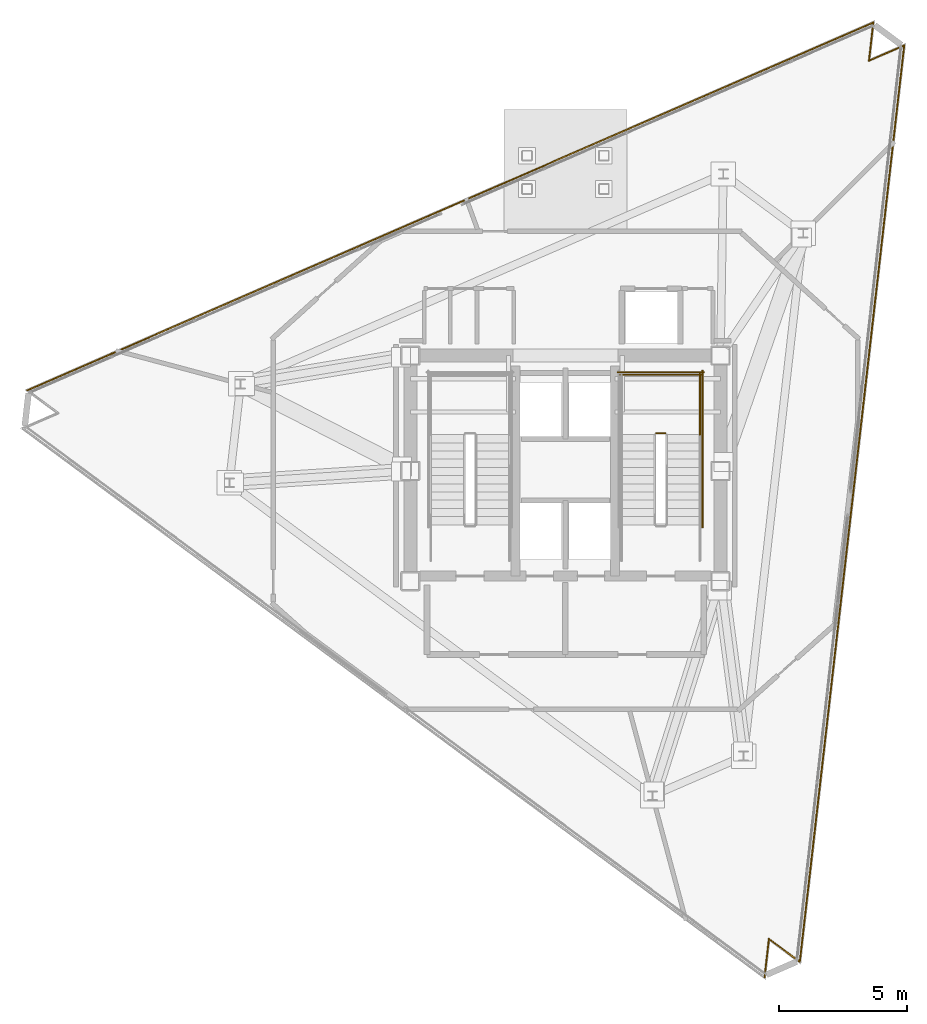
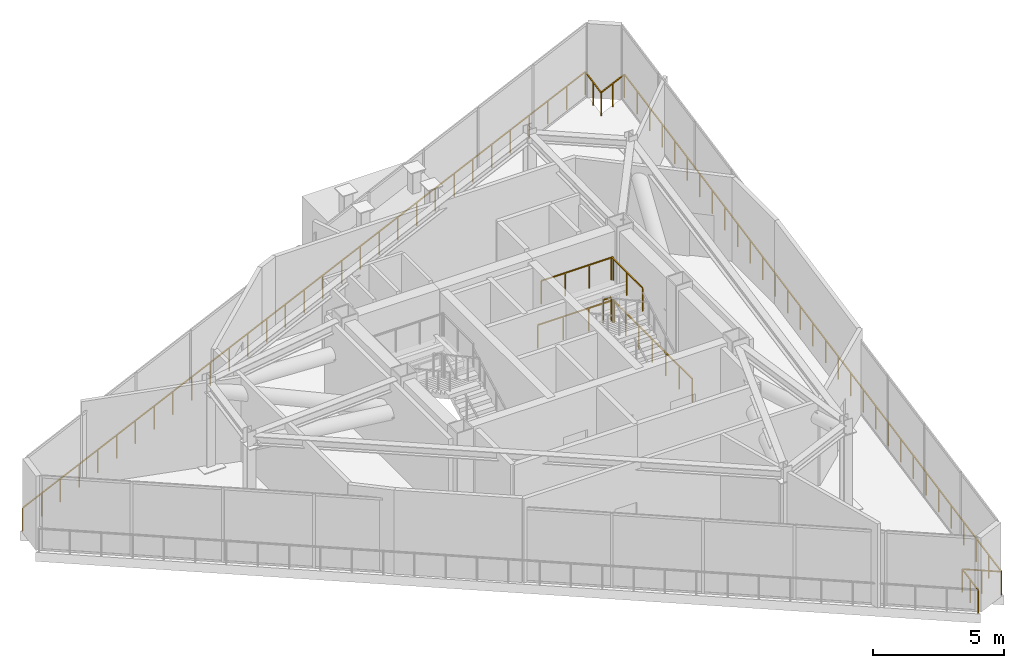
# One storey, part 11 of 11: 7 railings.
"""IFC4 building model written with IfcOpenShell, lengths in metres."""

from ifc_helpers import new_model, si_unit, direction, frame, origin, origin_2d, place, context, subcontext, project, spatial, rectangle, extrude, material, layer, layer_set, type_object, element, save


model = new_model("IFC4")

# Units and contexts
model_context = context("Model", 3, precision=1e-05, world=origin(), true_north=direction((0.0, 1.0)))
body_context = subcontext(model_context, "Body", "Model", "MODEL_VIEW")
ifc_project = project(units=[si_unit("LENGTHUNIT", "METRE"), si_unit("AREAUNIT", "SQUARE_METRE"), si_unit("VOLUMEUNIT", "CUBIC_METRE"), si_unit("PLANEANGLEUNIT", "RADIAN"), si_unit("MASSUNIT", "GRAM", prefix="KILO")], contexts=[model_context])

# Site, building, storey
site_placement = place(None, origin())
site = spatial("IfcSite", under=ifc_project, at=site_placement, CompositionType="ELEMENT")
building_placement = place(site_placement, origin())
building = spatial("IfcBuilding", under=site, at=building_placement, Name="Rocaltana Carrier Exchange", CompositionType="ELEMENT")
storey_placement = place(building_placement, frame((0.0, 0.0, 239.199951171875)))
storey = spatial("IfcBuildingStorey", under=building, at=storey_placement, Name="L76", CompositionType="ELEMENT", Elevation=239.199951171875)

# Railings
ifc_material_1 = material(Name="Powder-Coated Aluminium 6063-T6", Category="aluminium")
ifc_layer_1 = layer(ifc_material_1, 0.048095703125)
ifc_layer_set_1 = layer_set([ifc_layer_1], Name="Powder-Coated Aluminium 6063-T6")
railing_type_1 = type_object("IfcRailingType", Name="Stair Well Guardrail 1100", PredefinedType="GUARDRAIL", material=ifc_layer_set_1)
railing_1_placement = place(storey_placement, frame((3.89990234375, 1.469970703125, 2.080078125)))
element("IfcRailing", 1, at=railing_1_placement, inside=storey, type_object=railing_type_1, Name="L76 ST-2 stair guard 2", PredefinedType="GUARDRAIL", context=body_context, shape_type="SweptSolid", body=[
    extrude(rectangle(XDim=0.048095703125, YDim=0.048095703125, at=origin_2d()), frame((0.0, 0.0, 1.076171875), z_axis=(-1.0, 0.0, 0.0), x_axis=(0.0, -1.0, 0.0)), (0.0, 0.0, 1.0), 0.35986328125),
    extrude(rectangle(XDim=0.0419921875, YDim=0.0419921875, at=origin_2d()), origin(), (0.0, 0.0, 1.0), 1.052001953125),
    extrude(rectangle(XDim=0.0419921875, YDim=0.0419921875, at=origin_2d()), frame((-0.35986328125, 0.0, 0.0)), (0.0, 0.0, 1.0), 1.052001953125),
])
railing_2_placement = place(storey_placement, frame((5.25, 1.419921875, 2.080078125)))
element("IfcRailing", 2, at=railing_2_placement, inside=storey, type_object=railing_type_1, Name="L76 ST-2 stair guard 3", PredefinedType="GUARDRAIL", context=body_context, shape_type="SweptSolid", body=[
    extrude(rectangle(XDim=0.048095703125, YDim=0.048095703125, at=origin_2d()), frame((0.0, 0.0, 1.076171875), z_axis=(0.0, 1.0, 0.0), x_axis=(-1.0, 0.0, 0.0)), (0.0, 0.0, 1.0), 2.380126953125),
    extrude(rectangle(XDim=0.0419921875, YDim=0.0419921875, at=origin_2d()), origin(), (0.0, 0.0, 1.0), 1.052001953125),
    extrude(rectangle(XDim=0.0419921875, YDim=0.0419921875, at=origin_2d()), frame((0.0, 1.18994140625, 0.0)), (0.0, 0.0, 1.0), 1.052001953125),
    extrude(rectangle(XDim=0.0419921875, YDim=0.0419921875, at=origin_2d()), frame((0.0, 2.380126953125, 0.0)), (0.0, 0.0, 1.0), 1.052001953125),
])
railing_3_placement = place(storey_placement, frame((5.300048828125, 3.75, 2.080078125)))
element("IfcRailing", 3, at=railing_3_placement, inside=storey, type_object=railing_type_1, Name="L76 ST-2 stair guard 5", PredefinedType="GUARDRAIL", context=body_context, shape_type="SweptSolid", body=[
    extrude(rectangle(XDim=0.048095703125, YDim=0.048095703125, at=origin_2d()), frame((0.0, 0.0, 1.076171875), z_axis=(-1.0, 0.0, 0.0), x_axis=(0.0, -1.0, 0.0)), (0.0, 0.0, 1.0), 3.16015625),
    extrude(rectangle(XDim=0.0419921875, YDim=0.0419921875, at=origin_2d()), origin(), (0.0, 0.0, 1.0), 1.052001953125),
    extrude(rectangle(XDim=0.0419921875, YDim=0.0419921875, at=origin_2d()), frame((-1.053466796875, 0.0, 0.0)), (0.0, 0.0, 1.0), 1.052001953125),
    extrude(rectangle(XDim=0.0419921875, YDim=0.0419921875, at=origin_2d()), frame((-2.106689453125, 0.0, 0.0)), (0.0, 0.0, 1.0), 1.052001953125),
    extrude(rectangle(XDim=0.0419921875, YDim=0.0419921875, at=origin_2d()), frame((-3.16015625, 0.0, 0.0)), (0.0, 0.0, 1.0), 1.052001953125),
])
railing_4_placement = place(storey_placement, frame((5.35009765625, -2.199951171875, 0.0)))
element("IfcRailing", 4, at=railing_4_placement, inside=storey, type_object=railing_type_1, Name="L76 ST-2 stair guard 10", PredefinedType="GUARDRAIL", context=body_context, shape_type="SweptSolid", body=[
    extrude(rectangle(XDim=0.048095703125, YDim=0.048095703125, at=origin_2d()), frame((0.0, 0.0, 1.076171875), z_axis=(0.0, 1.0, 0.0), x_axis=(-1.0, 0.0, 0.0)), (0.0, 0.0, 1.0), 6.099853515625),
    extrude(rectangle(XDim=0.0419921875, YDim=0.0419921875, at=origin_2d()), origin(), (0.0, 0.0, 1.0), 1.052001953125),
    extrude(rectangle(XDim=0.0419921875, YDim=0.0419921875, at=origin_2d()), frame((0.0, 1.0166015625, 0.0)), (0.0, 0.0, 1.0), 1.052001953125),
    extrude(rectangle(XDim=0.0419921875, YDim=0.0419921875, at=origin_2d()), frame((0.0, 2.033203125, 0.0)), (0.0, 0.0, 1.0), 1.052001953125),
    extrude(rectangle(XDim=0.0419921875, YDim=0.0419921875, at=origin_2d()), frame((0.0, 3.0498046875, 0.0)), (0.0, 0.0, 1.0), 1.052001953125),
    extrude(rectangle(XDim=0.0419921875, YDim=0.0419921875, at=origin_2d()), frame((0.0, 4.066650390625, 0.0)), (0.0, 0.0, 1.0), 1.052001953125),
    extrude(rectangle(XDim=0.0419921875, YDim=0.0419921875, at=origin_2d()), frame((0.0, 5.083251953125, 0.0)), (0.0, 0.0, 1.0), 1.052001953125),
    extrude(rectangle(XDim=0.0419921875, YDim=0.0419921875, at=origin_2d()), frame((0.0, 6.099853515625, 0.0)), (0.0, 0.0, 1.0), 1.052001953125),
])
railing_5_placement = place(storey_placement, frame((5.39990234375, 3.85009765625, 0.0)))
element("IfcRailing", 5, at=railing_5_placement, inside=storey, type_object=railing_type_1, Name="L76 ST-2 stair guard 12", PredefinedType="GUARDRAIL", context=body_context, shape_type="SweptSolid", body=[
    extrude(rectangle(XDim=0.048095703125, YDim=0.048095703125, at=origin_2d()), frame((0.0, 0.0, 1.076171875), z_axis=(-1.0, 0.0, 0.0), x_axis=(0.0, -1.0, 0.0)), (0.0, 0.0, 1.0), 3.35986328125),
    extrude(rectangle(XDim=0.0419921875, YDim=0.0419921875, at=origin_2d()), origin(), (0.0, 0.0, 1.0), 1.052001953125),
    extrude(rectangle(XDim=0.0419921875, YDim=0.0419921875, at=origin_2d()), frame((-1.119873046875, 0.0, 0.0)), (0.0, 0.0, 1.0), 1.052001953125),
    extrude(rectangle(XDim=0.0419921875, YDim=0.0419921875, at=origin_2d()), frame((-2.239990234375, 0.0, 0.0)), (0.0, 0.0, 1.0), 1.052001953125),
    extrude(rectangle(XDim=0.0419921875, YDim=0.0419921875, at=origin_2d()), frame((-3.35986328125, 0.0, 0.0)), (0.0, 0.0, 1.0), 1.052001953125),
])
ifc_material_2 = material(Name="Powder-Coated Aluminium 6063-T6", Category="aluminium")
ifc_layer_2 = layer(ifc_material_2, 0.06005859375)
ifc_layer_set_2 = layer_set([ifc_layer_2], Name="Powder-Coated Aluminium 6063-T6")
railing_type_2 = type_object("IfcRailingType", Name="Wind-Floor & Terrace Perimeter Guardrail 1100", PredefinedType="GUARDRAIL", material=ifc_layer_set_2)
railing_6_placement = place(storey_placement, frame((-20.991943359375, 3.146484375, 0.0)))
element("IfcRailing", 6, at=railing_6_placement, inside=storey, type_object=railing_type_2, Name="L76 Perimeter Balcony Guardrail 2", PredefinedType="GUARDRAIL", context=body_context, shape_type="SweptSolid", body=[
    extrude(rectangle(XDim=0.048095703125, YDim=0.048095703125, at=origin_2d()), frame((0.0, 0.0, 1.076171875), z_axis=(0.917060889598, 0.398747194058, 0.0), x_axis=(-0.398747194058, 0.917060889598, 0.0)), (0.0, 0.0, 1.0), 35.9921875),
    extrude(rectangle(XDim=0.048095703125, YDim=0.048095703125, at=origin_2d()), frame((33.007080078125, 14.351806640625, 1.076171875), z_axis=(-0.113289509458, -0.993562019728, 0.0), x_axis=(0.993562019728, -0.113289509458, 0.0)), (0.0, 0.0, 1.0), 1.5),
    extrude(rectangle(XDim=0.048095703125, YDim=0.048095703125, at=origin_2d()), frame((32.837158203125, 12.861572265625, 1.076171875), z_axis=(0.917070056253, 0.398726111414, 0.0), x_axis=(-0.398726111414, 0.917070056253, 0.0)), (0.0, 0.0, 1.0), 1.500244140625),
    extrude(rectangle(XDim=0.0419921875, YDim=0.0419921875, at=origin_2d()), origin(), (0.0, 0.0, 1.0), 1.052001953125),
    extrude(rectangle(XDim=0.0419921875, YDim=0.0419921875, at=origin_2d()), frame((1.100341796875, 0.478515625, 0.0)), (0.0, 0.0, 1.0), 1.052001953125),
    extrude(rectangle(XDim=0.0419921875, YDim=0.0419921875, at=origin_2d()), frame((2.200439453125, 0.956787109375, 0.0)), (0.0, 0.0, 1.0), 1.052001953125),
    extrude(rectangle(XDim=0.0419921875, YDim=0.0419921875, at=origin_2d()), frame((3.30078125, 1.43505859375, 0.0)), (0.0, 0.0, 1.0), 1.052001953125),
    extrude(rectangle(XDim=0.0419921875, YDim=0.0419921875, at=origin_2d()), frame((4.40087890625, 1.91357421875, 0.0)), (0.0, 0.0, 1.0), 1.052001953125),
    extrude(rectangle(XDim=0.0419921875, YDim=0.0419921875, at=origin_2d()), frame((5.501220703125, 2.39208984375, 0.0)), (0.0, 0.0, 1.0), 1.052001953125),
    extrude(rectangle(XDim=0.0419921875, YDim=0.0419921875, at=origin_2d()), frame((6.601318359375, 2.870361328125, 0.0)), (0.0, 0.0, 1.0), 1.052001953125),
    extrude(rectangle(XDim=0.0419921875, YDim=0.0419921875, at=origin_2d()), frame((7.70166015625, 3.3486328125, 0.0)), (0.0, 0.0, 1.0), 1.052001953125),
    extrude(rectangle(XDim=0.0419921875, YDim=0.0419921875, at=origin_2d()), frame((8.802001953125, 3.8271484375, 0.0)), (0.0, 0.0, 1.0), 1.052001953125),
    extrude(rectangle(XDim=0.0419921875, YDim=0.0419921875, at=origin_2d()), frame((9.902099609375, 4.3056640625, 0.0)), (0.0, 0.0, 1.0), 1.052001953125),
    extrude(rectangle(XDim=0.0419921875, YDim=0.0419921875, at=origin_2d()), frame((11.00244140625, 4.783935546875, 0.0)), (0.0, 0.0, 1.0), 1.052001953125),
    extrude(rectangle(XDim=0.0419921875, YDim=0.0419921875, at=origin_2d()), frame((12.1025390625, 5.26220703125, 0.0)), (0.0, 0.0, 1.0), 1.052001953125),
    extrude(rectangle(XDim=0.0419921875, YDim=0.0419921875, at=origin_2d()), frame((13.202880859375, 5.74072265625, 0.0)), (0.0, 0.0, 1.0), 1.052001953125),
    extrude(rectangle(XDim=0.0419921875, YDim=0.0419921875, at=origin_2d()), frame((14.302978515625, 6.21923828125, 0.0)), (0.0, 0.0, 1.0), 1.052001953125),
    extrude(rectangle(XDim=0.0419921875, YDim=0.0419921875, at=origin_2d()), frame((15.4033203125, 6.697509765625, 0.0)), (0.0, 0.0, 1.0), 1.052001953125),
    extrude(rectangle(XDim=0.0419921875, YDim=0.0419921875, at=origin_2d()), frame((16.50341796875, 7.17578125, 0.0)), (0.0, 0.0, 1.0), 1.052001953125),
    extrude(rectangle(XDim=0.0419921875, YDim=0.0419921875, at=origin_2d()), frame((17.603759765625, 7.654296875, 0.0)), (0.0, 0.0, 1.0), 1.052001953125),
    extrude(rectangle(XDim=0.0419921875, YDim=0.0419921875, at=origin_2d()), frame((18.7041015625, 8.1328125, 0.0)), (0.0, 0.0, 1.0), 1.052001953125),
    extrude(rectangle(XDim=0.0419921875, YDim=0.0419921875, at=origin_2d()), frame((19.80419921875, 8.611083984375, 0.0)), (0.0, 0.0, 1.0), 1.052001953125),
    extrude(rectangle(XDim=0.0419921875, YDim=0.0419921875, at=origin_2d()), frame((20.904541015625, 9.08935546875, 0.0)), (0.0, 0.0, 1.0), 1.052001953125),
    extrude(rectangle(XDim=0.0419921875, YDim=0.0419921875, at=origin_2d()), frame((22.004638671875, 9.56787109375, 0.0)), (0.0, 0.0, 1.0), 1.052001953125),
    extrude(rectangle(XDim=0.0419921875, YDim=0.0419921875, at=origin_2d()), frame((23.10498046875, 10.04638671875, 0.0)), (0.0, 0.0, 1.0), 1.052001953125),
    extrude(rectangle(XDim=0.0419921875, YDim=0.0419921875, at=origin_2d()), frame((24.205078125, 10.524658203125, 0.0)), (0.0, 0.0, 1.0), 1.052001953125),
    extrude(rectangle(XDim=0.0419921875, YDim=0.0419921875, at=origin_2d()), frame((25.305419921875, 11.0029296875, 0.0)), (0.0, 0.0, 1.0), 1.052001953125),
    extrude(rectangle(XDim=0.0419921875, YDim=0.0419921875, at=origin_2d()), frame((26.40576171875, 11.4814453125, 0.0)), (0.0, 0.0, 1.0), 1.052001953125),
    extrude(rectangle(XDim=0.0419921875, YDim=0.0419921875, at=origin_2d()), frame((27.505859375, 11.9599609375, 0.0)), (0.0, 0.0, 1.0), 1.052001953125),
    extrude(rectangle(XDim=0.0419921875, YDim=0.0419921875, at=origin_2d()), frame((28.606201171875, 12.438232421875, 0.0)), (0.0, 0.0, 1.0), 1.052001953125),
    extrude(rectangle(XDim=0.0419921875, YDim=0.0419921875, at=origin_2d()), frame((29.706298828125, 12.91650390625, 0.0)), (0.0, 0.0, 1.0), 1.052001953125),
    extrude(rectangle(XDim=0.0419921875, YDim=0.0419921875, at=origin_2d()), frame((30.806640625, 13.39501953125, 0.0)), (0.0, 0.0, 1.0), 1.052001953125),
    extrude(rectangle(XDim=0.0419921875, YDim=0.0419921875, at=origin_2d()), frame((31.90673828125, 13.87353515625, 0.0)), (0.0, 0.0, 1.0), 1.052001953125),
    extrude(rectangle(XDim=0.0419921875, YDim=0.0419921875, at=origin_2d()), frame((33.007080078125, 14.351806640625, 0.0)), (0.0, 0.0, 1.0), 1.052001953125),
    extrude(rectangle(XDim=0.0419921875, YDim=0.0419921875, at=origin_2d()), frame((32.922119140625, 13.606689453125, 0.0)), (0.0, 0.0, 1.0), 1.052001953125),
    extrude(rectangle(XDim=0.0419921875, YDim=0.0419921875, at=origin_2d()), frame((32.837158203125, 12.861572265625, 0.0)), (0.0, 0.0, 1.0), 1.052001953125),
    extrude(rectangle(XDim=0.0419921875, YDim=0.0419921875, at=origin_2d()), frame((33.52490234375, 13.16064453125, 0.0)), (0.0, 0.0, 1.0), 1.052001953125),
    extrude(rectangle(XDim=0.0419921875, YDim=0.0419921875, at=origin_2d()), frame((34.212890625, 13.459716796875, 0.0)), (0.0, 0.0, 1.0), 1.052001953125),
])
railing_7_placement = place(storey_placement, frame((13.220947265625, 16.606201171875, 0.0)))
element("IfcRailing", 7, at=railing_7_placement, inside=storey, type_object=railing_type_2, Name="L76 Perimeter Balcony Guardrail 3", PredefinedType="GUARDRAIL", context=body_context, shape_type="SweptSolid", body=[
    extrude(rectangle(XDim=0.048095703125, YDim=0.048095703125, at=origin_2d()), frame((0.0, 0.0, 1.076171875), z_axis=(-0.113204337655, -0.993571727625, 0.0), x_axis=(0.993571727625, -0.113204337655, 0.0)), (0.0, 0.0, 1.0), 35.9921875),
    extrude(rectangle(XDim=0.048095703125, YDim=0.048095703125, at=origin_2d()), frame((-4.074462890625, -35.7607421875, 1.076171875), z_axis=(-0.803773402132, 0.594935557876, 0.0), x_axis=(-0.594935557876, -0.803773402132, 0.0)), (0.0, 0.0, 1.0), 1.5),
    extrude(rectangle(XDim=0.048095703125, YDim=0.048095703125, at=origin_2d()), frame((-5.280029296875, -34.868408203125, 1.076171875), z_axis=(-0.113271190728, -0.993564108325, 0.0), x_axis=(0.993564108325, -0.113271190728, 0.0)), (0.0, 0.0, 1.0), 1.500244140625),
    extrude(rectangle(XDim=0.0419921875, YDim=0.0419921875, at=origin_2d()), origin(), (0.0, 0.0, 1.0), 1.052001953125),
    extrude(rectangle(XDim=0.0419921875, YDim=0.0419921875, at=origin_2d()), frame((-0.1357421875, -1.192138671875, 0.0)), (0.0, 0.0, 1.0), 1.052001953125),
    extrude(rectangle(XDim=0.0419921875, YDim=0.0419921875, at=origin_2d()), frame((-0.271728515625, -2.384033203125, 0.0)), (0.0, 0.0, 1.0), 1.052001953125),
    extrude(rectangle(XDim=0.0419921875, YDim=0.0419921875, at=origin_2d()), frame((-0.407470703125, -3.576171875, 0.0)), (0.0, 0.0, 1.0), 1.052001953125),
    extrude(rectangle(XDim=0.0419921875, YDim=0.0419921875, at=origin_2d()), frame((-0.543212890625, -4.76806640625, 0.0)), (0.0, 0.0, 1.0), 1.052001953125),
    extrude(rectangle(XDim=0.0419921875, YDim=0.0419921875, at=origin_2d()), frame((-0.67919921875, -5.960205078125, 0.0)), (0.0, 0.0, 1.0), 1.052001953125),
    extrude(rectangle(XDim=0.0419921875, YDim=0.0419921875, at=origin_2d()), frame((-0.81494140625, -7.152099609375, 0.0)), (0.0, 0.0, 1.0), 1.052001953125),
    extrude(rectangle(XDim=0.0419921875, YDim=0.0419921875, at=origin_2d()), frame((-0.95068359375, -8.34423828125, 0.0)), (0.0, 0.0, 1.0), 1.052001953125),
    extrude(rectangle(XDim=0.0419921875, YDim=0.0419921875, at=origin_2d()), frame((-1.08642578125, -9.5361328125, 0.0)), (0.0, 0.0, 1.0), 1.052001953125),
    extrude(rectangle(XDim=0.0419921875, YDim=0.0419921875, at=origin_2d()), frame((-1.222412109375, -10.728271484375, 0.0)), (0.0, 0.0, 1.0), 1.052001953125),
    extrude(rectangle(XDim=0.0419921875, YDim=0.0419921875, at=origin_2d()), frame((-1.358154296875, -11.920166015625, 0.0)), (0.0, 0.0, 1.0), 1.052001953125),
    extrude(rectangle(XDim=0.0419921875, YDim=0.0419921875, at=origin_2d()), frame((-1.493896484375, -13.1123046875, 0.0)), (0.0, 0.0, 1.0), 1.052001953125),
    extrude(rectangle(XDim=0.0419921875, YDim=0.0419921875, at=origin_2d()), frame((-1.6298828125, -14.30419921875, 0.0)), (0.0, 0.0, 1.0), 1.052001953125),
    extrude(rectangle(XDim=0.0419921875, YDim=0.0419921875, at=origin_2d()), frame((-1.765625, -15.496337890625, 0.0)), (0.0, 0.0, 1.0), 1.052001953125),
    extrude(rectangle(XDim=0.0419921875, YDim=0.0419921875, at=origin_2d()), frame((-1.9013671875, -16.688232421875, 0.0)), (0.0, 0.0, 1.0), 1.052001953125),
    extrude(rectangle(XDim=0.0419921875, YDim=0.0419921875, at=origin_2d()), frame((-2.037109375, -17.88037109375, 0.0)), (0.0, 0.0, 1.0), 1.052001953125),
    extrude(rectangle(XDim=0.0419921875, YDim=0.0419921875, at=origin_2d()), frame((-2.173095703125, -19.072509765625, 0.0)), (0.0, 0.0, 1.0), 1.052001953125),
    extrude(rectangle(XDim=0.0419921875, YDim=0.0419921875, at=origin_2d()), frame((-2.308837890625, -20.264404296875, 0.0)), (0.0, 0.0, 1.0), 1.052001953125),
    extrude(rectangle(XDim=0.0419921875, YDim=0.0419921875, at=origin_2d()), frame((-2.444580078125, -21.45654296875, 0.0)), (0.0, 0.0, 1.0), 1.052001953125),
    extrude(rectangle(XDim=0.0419921875, YDim=0.0419921875, at=origin_2d()), frame((-2.58056640625, -22.6484375, 0.0)), (0.0, 0.0, 1.0), 1.052001953125),
    extrude(rectangle(XDim=0.0419921875, YDim=0.0419921875, at=origin_2d()), frame((-2.71630859375, -23.840576171875, 0.0)), (0.0, 0.0, 1.0), 1.052001953125),
    extrude(rectangle(XDim=0.0419921875, YDim=0.0419921875, at=origin_2d()), frame((-2.85205078125, -25.032470703125, 0.0)), (0.0, 0.0, 1.0), 1.052001953125),
    extrude(rectangle(XDim=0.0419921875, YDim=0.0419921875, at=origin_2d()), frame((-2.988037109375, -26.224609375, 0.0)), (0.0, 0.0, 1.0), 1.052001953125),
    extrude(rectangle(XDim=0.0419921875, YDim=0.0419921875, at=origin_2d()), frame((-3.123779296875, -27.41650390625, 0.0)), (0.0, 0.0, 1.0), 1.052001953125),
    extrude(rectangle(XDim=0.0419921875, YDim=0.0419921875, at=origin_2d()), frame((-3.259521484375, -28.608642578125, 0.0)), (0.0, 0.0, 1.0), 1.052001953125),
    extrude(rectangle(XDim=0.0419921875, YDim=0.0419921875, at=origin_2d()), frame((-3.3955078125, -29.800537109375, 0.0)), (0.0, 0.0, 1.0), 1.052001953125),
    extrude(rectangle(XDim=0.0419921875, YDim=0.0419921875, at=origin_2d()), frame((-3.53125, -30.99267578125, 0.0)), (0.0, 0.0, 1.0), 1.052001953125),
    extrude(rectangle(XDim=0.0419921875, YDim=0.0419921875, at=origin_2d()), frame((-3.6669921875, -32.1845703125, 0.0)), (0.0, 0.0, 1.0), 1.052001953125),
    extrude(rectangle(XDim=0.0419921875, YDim=0.0419921875, at=origin_2d()), frame((-3.802734375, -33.376708984375, 0.0)), (0.0, 0.0, 1.0), 1.052001953125),
    extrude(rectangle(XDim=0.0419921875, YDim=0.0419921875, at=origin_2d()), frame((-3.938720703125, -34.568603515625, 0.0)), (0.0, 0.0, 1.0), 1.052001953125),
    extrude(rectangle(XDim=0.0419921875, YDim=0.0419921875, at=origin_2d()), frame((-4.074462890625, -35.7607421875, 0.0)), (0.0, 0.0, 1.0), 1.052001953125),
    extrude(rectangle(XDim=0.0419921875, YDim=0.0419921875, at=origin_2d()), frame((-4.67724609375, -35.314453125, 0.0)), (0.0, 0.0, 1.0), 1.052001953125),
    extrude(rectangle(XDim=0.0419921875, YDim=0.0419921875, at=origin_2d()), frame((-5.280029296875, -34.868408203125, 0.0)), (0.0, 0.0, 1.0), 1.052001953125),
    extrude(rectangle(XDim=0.0419921875, YDim=0.0419921875, at=origin_2d()), frame((-5.364990234375, -35.61376953125, 0.0)), (0.0, 0.0, 1.0), 1.052001953125),
    extrude(rectangle(XDim=0.0419921875, YDim=0.0419921875, at=origin_2d()), frame((-5.449951171875, -36.35888671875, 0.0)), (0.0, 0.0, 1.0), 1.052001953125),
])

save(model, "model.ifc")
